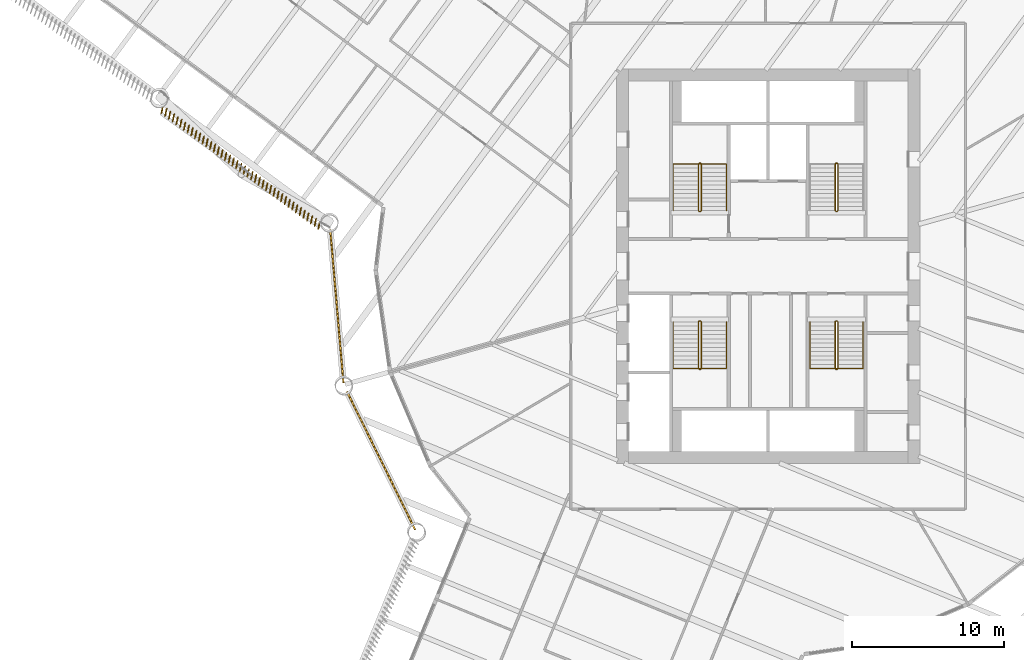
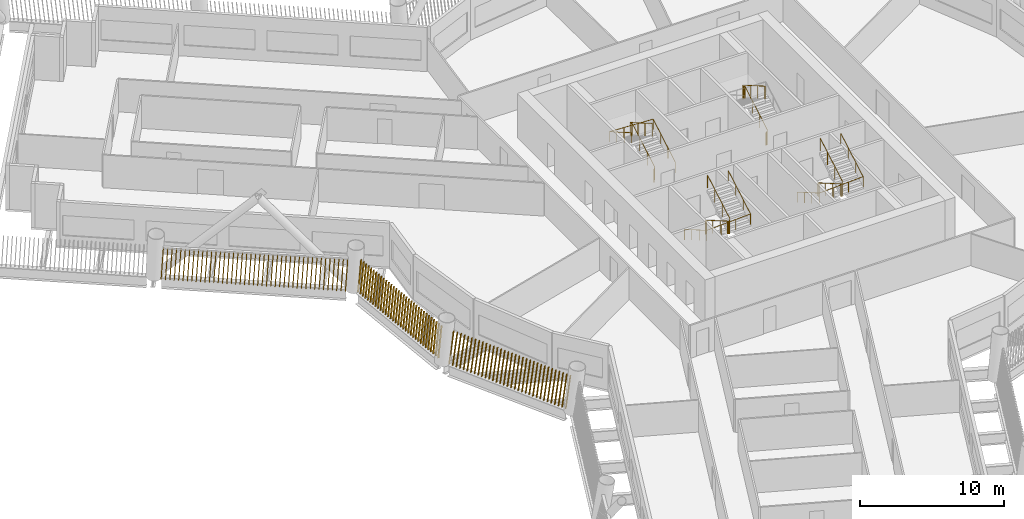
# One storey, part 19 of 23: 7 railings, 3 shading devices.
"""IFC4 building model written with IfcOpenShell, lengths in metres."""

from ifc_helpers import new_model, si_unit, direction, frame, frame_2d, origin, origin_2d, place, context, subcontext, project, spatial, rectangle, circle, composite_profile, extrude, material, type_object, element, save


model = new_model("IFC4")

# Units and contexts
model_context = context("Model", 3, precision=1e-05, world=origin(), true_north=direction((0.0, 1.0)))
body_context = subcontext(model_context, "Body", "Model", "MODEL_VIEW")
ifc_project = project(units=[si_unit("LENGTHUNIT", "METRE"), si_unit("AREAUNIT", "SQUARE_METRE"), si_unit("VOLUMEUNIT", "CUBIC_METRE"), si_unit("PLANEANGLEUNIT", "RADIAN"), si_unit("MASSUNIT", "GRAM", prefix="KILO")], contexts=[model_context])

# Site, building, storey
site_placement = place(None, origin())
site = spatial("IfcSite", under=ifc_project, at=site_placement, CompositionType="ELEMENT")
building_placement = place(site_placement, origin())
building = spatial("IfcBuilding", under=site, at=building_placement, Name="Tarsis Ring Headquarters", CompositionType="ELEMENT")
storey_placement = place(building_placement, frame((0.0, 0.0, 124.0)))
storey = spatial("IfcBuildingStorey", under=building, at=storey_placement, Name="L28", CompositionType="ELEMENT", Elevation=124.0)

# Railings
ifc_material_1 = material(Name="Steel S355", Category="steel")
railing_type_1 = type_object("IfcRailingType", Name="Core stair guard 1100", PredefinedType="GUARDRAIL", material=ifc_material_1)
railing_1_placement = place(storey_placement, frame((-4.5400390625, 3.610107421875, 0.0)))
element("IfcRailing", 1, at=railing_1_placement, inside=storey, type_object=railing_type_1, Name="L28 ST1 stair guard 1", PredefinedType="GUARDRAIL", context=body_context, shape_type="SweptSolid", body=[
    extrude(circle(Radius=0.02392578125, at=origin_2d()), frame((0.0, 0.0, 1.076171875), z_axis=(1.0, 0.0, 0.0), x_axis=(0.0, 1.0, 0.0)), (0.0, 0.0, 1.0), 0.080078125),
    extrude(circle(Radius=0.02392578125, at=origin_2d()), frame((0.080078125, 0.0, 1.076171875), z_axis=(0.282336740067, 0.280959487676, 0.917250092119), x_axis=(-0.705375805398, 0.708833529934, 0.0)), (0.0, 0.0, 1.0), 0.17724609375),
    extrude(circle(Radius=0.02392578125, at=origin_2d()), frame((0.130126953125, 0.0498046875, 1.23876953125), z_axis=(0.0, 0.864920483161, 0.501908913857), x_axis=(-1.0, 0.0, 0.0)), (0.0, 0.0, 1.0), 3.56103515625),
    extrude(circle(Radius=0.02392578125, at=origin_2d()), frame((0.130126953125, 3.1298828125, 3.02587890625), z_axis=(-0.707106781187, 0.707106781187, 0.0), x_axis=(-0.707106781187, -0.707106781187, 0.0)), (0.0, 0.0, 1.0), 0.07080078125),
    extrude(circle(Radius=0.02392578125, at=origin_2d()), frame((0.080078125, 3.179931640625, 3.02587890625), z_axis=(-1.0, 0.0, 0.0), x_axis=(0.0, -1.0, 0.0)), (0.0, 0.0, 1.0), 0.080078125),
    extrude(circle(Radius=0.02392578125, at=origin_2d()), frame((0.0, 3.179931640625, 3.02587890625), z_axis=(-0.282227285176, -0.282227285176, 0.916894497205), x_axis=(0.707106781187, -0.707106781187, 0.0)), (0.0, 0.0, 1.0), 0.17724609375),
    extrude(circle(Radius=0.02392578125, at=origin_2d()), frame((-0.050048828125, 3.1298828125, 3.1884765625), z_axis=(0.0, -0.864920483161, 0.501908913857), x_axis=(1.0, 0.0, 0.0)), (0.0, 0.0, 1.0), 3.56103515625),
    extrude(circle(Radius=0.02099609375, at=origin_2d()), origin(), (0.0, 0.0, 1.0), 1.052001953125),
    extrude(circle(Radius=0.02099609375, at=origin_2d()), frame((0.080078125, 0.0, 0.0)), (0.0, 0.0, 1.0), 1.052001953125),
    extrude(circle(Radius=0.02099609375, at=origin_2d()), frame((0.130126953125, 0.0498046875, 0.16259765625)), (0.0, 0.0, 1.0), 1.052001953125),
    extrude(circle(Radius=0.02099609375, at=origin_2d()), frame((0.130126953125, 1.076416015625, 0.75830078125)), (0.0, 0.0, 1.0), 1.052001953125),
    extrude(circle(Radius=0.02099609375, at=origin_2d()), frame((0.130126953125, 2.103271484375, 1.354248046875)), (0.0, 0.0, 1.0), 1.052001953125),
    extrude(circle(Radius=0.02099609375, at=origin_2d()), frame((0.130126953125, 3.1298828125, 1.949951171875)), (0.0, 0.0, 1.0), 1.052001953125),
    extrude(circle(Radius=0.02099609375, at=origin_2d()), frame((0.080078125, 3.179931640625, 1.949951171875)), (0.0, 0.0, 1.0), 1.052001953125),
    extrude(circle(Radius=0.02099609375, at=origin_2d()), frame((0.0, 3.179931640625, 1.949951171875)), (0.0, 0.0, 1.0), 1.052001953125),
    extrude(circle(Radius=0.02099609375, at=origin_2d()), frame((-0.050048828125, 3.1298828125, 2.112548828125)), (0.0, 0.0, 1.0), 1.052001953125),
    extrude(circle(Radius=0.02099609375, at=origin_2d()), frame((-0.050048828125, 2.103271484375, 2.708251953125)), (0.0, 0.0, 1.0), 1.052001953125),
    extrude(circle(Radius=0.02099609375, at=origin_2d()), frame((-0.050048828125, 1.076416015625, 3.30419921875)), (0.0, 0.0, 1.0), 1.052001953125),
    extrude(circle(Radius=0.02099609375, at=origin_2d()), frame((-0.050048828125, 0.0498046875, 3.89990234375)), (0.0, 0.0, 1.0), 1.052001953125),
])
railing_2_placement = place(storey_placement, frame((4.4599609375, 3.610107421875, 0.0)))
element("IfcRailing", 2, at=railing_2_placement, inside=storey, type_object=railing_type_1, Name="L28 ST2 stair guard 1", PredefinedType="GUARDRAIL", context=body_context, shape_type="SweptSolid", body=[
    extrude(circle(Radius=0.02392578125, at=origin_2d()), frame((0.0, 0.0, 1.076171875), z_axis=(1.0, 0.0, 0.0), x_axis=(0.0, 1.0, 0.0)), (0.0, 0.0, 1.0), 0.080078125),
    extrude(circle(Radius=0.02392578125, at=origin_2d()), frame((0.080078125, 0.0, 1.076171875), z_axis=(0.282336740067, 0.280959487676, 0.917250092119), x_axis=(-0.705375805398, 0.708833529934, 0.0)), (0.0, 0.0, 1.0), 0.17724609375),
    extrude(circle(Radius=0.02392578125, at=origin_2d()), frame((0.130126953125, 0.0498046875, 1.23876953125), z_axis=(0.0, 0.864920483161, 0.501908913857), x_axis=(-1.0, 0.0, 0.0)), (0.0, 0.0, 1.0), 3.56103515625),
    extrude(circle(Radius=0.02392578125, at=origin_2d()), frame((0.130126953125, 3.1298828125, 3.02587890625), z_axis=(-0.707106781187, 0.707106781187, 0.0), x_axis=(-0.707106781187, -0.707106781187, 0.0)), (0.0, 0.0, 1.0), 0.07080078125),
    extrude(circle(Radius=0.02392578125, at=origin_2d()), frame((0.080078125, 3.179931640625, 3.02587890625), z_axis=(-1.0, 0.0, 0.0), x_axis=(0.0, -1.0, 0.0)), (0.0, 0.0, 1.0), 0.080078125),
    extrude(circle(Radius=0.02392578125, at=origin_2d()), frame((0.0, 3.179931640625, 3.02587890625), z_axis=(-0.282227285176, -0.282227285176, 0.916894497205), x_axis=(0.707106781187, -0.707106781187, 0.0)), (0.0, 0.0, 1.0), 0.17724609375),
    extrude(circle(Radius=0.02392578125, at=origin_2d()), frame((-0.050048828125, 3.1298828125, 3.1884765625), z_axis=(0.0, -0.864920483161, 0.501908913857), x_axis=(1.0, 0.0, 0.0)), (0.0, 0.0, 1.0), 3.56103515625),
    extrude(circle(Radius=0.02099609375, at=origin_2d()), origin(), (0.0, 0.0, 1.0), 1.052001953125),
    extrude(circle(Radius=0.02099609375, at=origin_2d()), frame((0.080078125, 0.0, 0.0)), (0.0, 0.0, 1.0), 1.052001953125),
    extrude(circle(Radius=0.02099609375, at=origin_2d()), frame((0.130126953125, 0.0498046875, 0.16259765625)), (0.0, 0.0, 1.0), 1.052001953125),
    extrude(circle(Radius=0.02099609375, at=origin_2d()), frame((0.130126953125, 1.076416015625, 0.75830078125)), (0.0, 0.0, 1.0), 1.052001953125),
    extrude(circle(Radius=0.02099609375, at=origin_2d()), frame((0.130126953125, 2.103271484375, 1.354248046875)), (0.0, 0.0, 1.0), 1.052001953125),
    extrude(circle(Radius=0.02099609375, at=origin_2d()), frame((0.130126953125, 3.1298828125, 1.949951171875)), (0.0, 0.0, 1.0), 1.052001953125),
    extrude(circle(Radius=0.02099609375, at=origin_2d()), frame((0.080078125, 3.179931640625, 1.949951171875)), (0.0, 0.0, 1.0), 1.052001953125),
    extrude(circle(Radius=0.02099609375, at=origin_2d()), frame((0.0, 3.179931640625, 1.949951171875)), (0.0, 0.0, 1.0), 1.052001953125),
    extrude(circle(Radius=0.02099609375, at=origin_2d()), frame((-0.050048828125, 3.1298828125, 2.112548828125)), (0.0, 0.0, 1.0), 1.052001953125),
    extrude(circle(Radius=0.02099609375, at=origin_2d()), frame((-0.050048828125, 2.103271484375, 2.708251953125)), (0.0, 0.0, 1.0), 1.052001953125),
    extrude(circle(Radius=0.02099609375, at=origin_2d()), frame((-0.050048828125, 1.076416015625, 3.30419921875)), (0.0, 0.0, 1.0), 1.052001953125),
    extrude(circle(Radius=0.02099609375, at=origin_2d()), frame((-0.050048828125, 0.0498046875, 3.89990234375)), (0.0, 0.0, 1.0), 1.052001953125),
])
railing_3_placement = place(storey_placement, frame((-4.4599609375, -3.610107421875, 0.0)))
element("IfcRailing", 3, at=railing_3_placement, inside=storey, type_object=railing_type_1, Name="L28 ST3 stair guard 1", PredefinedType="GUARDRAIL", context=body_context, shape_type="SweptSolid", body=[
    extrude(circle(Radius=0.02392578125, at=origin_2d()), frame((0.0, 0.0, 1.076171875), z_axis=(-1.0, 0.0, 0.0), x_axis=(0.0, -1.0, 0.0)), (0.0, 0.0, 1.0), 0.080078125),
    extrude(circle(Radius=0.02392578125, at=origin_2d()), frame((-0.080078125, 0.0, 1.076171875), z_axis=(-0.282336740067, -0.280959487676, 0.917250092119), x_axis=(0.705375805398, -0.708833529934, 0.0)), (0.0, 0.0, 1.0), 0.17724609375),
    extrude(circle(Radius=0.02392578125, at=origin_2d()), frame((-0.130126953125, -0.0498046875, 1.23876953125), z_axis=(0.0, -0.864920483161, 0.501908913857), x_axis=(1.0, 0.0, 0.0)), (0.0, 0.0, 1.0), 3.56103515625),
    extrude(circle(Radius=0.02392578125, at=origin_2d()), frame((-0.130126953125, -3.1298828125, 3.02587890625), z_axis=(0.707106781187, -0.707106781187, 0.0), x_axis=(0.707106781187, 0.707106781187, 0.0)), (0.0, 0.0, 1.0), 0.07080078125),
    extrude(circle(Radius=0.02392578125, at=origin_2d()), frame((-0.080078125, -3.179931640625, 3.02587890625), z_axis=(1.0, 0.0, 0.0), x_axis=(0.0, 1.0, 0.0)), (0.0, 0.0, 1.0), 0.080078125),
    extrude(circle(Radius=0.02392578125, at=origin_2d()), frame((0.0, -3.179931640625, 3.02587890625), z_axis=(0.282227285176, 0.282227285176, 0.916894497205), x_axis=(-0.707106781187, 0.707106781187, 0.0)), (0.0, 0.0, 1.0), 0.17724609375),
    extrude(circle(Radius=0.02392578125, at=origin_2d()), frame((0.050048828125, -3.1298828125, 3.1884765625), z_axis=(0.0, 0.864920483161, 0.501908913857), x_axis=(-1.0, 0.0, 0.0)), (0.0, 0.0, 1.0), 3.56103515625),
    extrude(circle(Radius=0.02099609375, at=origin_2d()), origin(), (0.0, 0.0, 1.0), 1.052001953125),
    extrude(circle(Radius=0.02099609375, at=origin_2d()), frame((-0.080078125, 0.0, 0.0)), (0.0, 0.0, 1.0), 1.052001953125),
    extrude(circle(Radius=0.02099609375, at=origin_2d()), frame((-0.130126953125, -0.0498046875, 0.16259765625)), (0.0, 0.0, 1.0), 1.052001953125),
    extrude(circle(Radius=0.02099609375, at=origin_2d()), frame((-0.130126953125, -1.076416015625, 0.75830078125)), (0.0, 0.0, 1.0), 1.052001953125),
    extrude(circle(Radius=0.02099609375, at=origin_2d()), frame((-0.130126953125, -2.103271484375, 1.354248046875)), (0.0, 0.0, 1.0), 1.052001953125),
    extrude(circle(Radius=0.02099609375, at=origin_2d()), frame((-0.130126953125, -3.1298828125, 1.949951171875)), (0.0, 0.0, 1.0), 1.052001953125),
    extrude(circle(Radius=0.02099609375, at=origin_2d()), frame((-0.080078125, -3.179931640625, 1.949951171875)), (0.0, 0.0, 1.0), 1.052001953125),
    extrude(circle(Radius=0.02099609375, at=origin_2d()), frame((0.0, -3.179931640625, 1.949951171875)), (0.0, 0.0, 1.0), 1.052001953125),
    extrude(circle(Radius=0.02099609375, at=origin_2d()), frame((0.050048828125, -3.1298828125, 2.112548828125)), (0.0, 0.0, 1.0), 1.052001953125),
    extrude(circle(Radius=0.02099609375, at=origin_2d()), frame((0.050048828125, -2.103271484375, 2.708251953125)), (0.0, 0.0, 1.0), 1.052001953125),
    extrude(circle(Radius=0.02099609375, at=origin_2d()), frame((0.050048828125, -1.076416015625, 3.30419921875)), (0.0, 0.0, 1.0), 1.052001953125),
    extrude(circle(Radius=0.02099609375, at=origin_2d()), frame((0.050048828125, -0.0498046875, 3.89990234375)), (0.0, 0.0, 1.0), 1.052001953125),
])
railing_4_placement = place(storey_placement, frame((4.5400390625, -3.610107421875, 0.0)))
element("IfcRailing", 4, at=railing_4_placement, inside=storey, type_object=railing_type_1, Name="L28 ST4 stair guard 1", PredefinedType="GUARDRAIL", context=body_context, shape_type="SweptSolid", body=[
    extrude(circle(Radius=0.02392578125, at=origin_2d()), frame((0.0, 0.0, 1.076171875), z_axis=(-1.0, 0.0, 0.0), x_axis=(0.0, -1.0, 0.0)), (0.0, 0.0, 1.0), 0.080078125),
    extrude(circle(Radius=0.02392578125, at=origin_2d()), frame((-0.080078125, 0.0, 1.076171875), z_axis=(-0.282336740067, -0.280959487676, 0.917250092119), x_axis=(0.705375805398, -0.708833529934, 0.0)), (0.0, 0.0, 1.0), 0.17724609375),
    extrude(circle(Radius=0.02392578125, at=origin_2d()), frame((-0.130126953125, -0.0498046875, 1.23876953125), z_axis=(0.0, -0.864920483161, 0.501908913857), x_axis=(1.0, 0.0, 0.0)), (0.0, 0.0, 1.0), 3.56103515625),
    extrude(circle(Radius=0.02392578125, at=origin_2d()), frame((-0.130126953125, -3.1298828125, 3.02587890625), z_axis=(0.707106781187, -0.707106781187, 0.0), x_axis=(0.707106781187, 0.707106781187, 0.0)), (0.0, 0.0, 1.0), 0.07080078125),
    extrude(circle(Radius=0.02392578125, at=origin_2d()), frame((-0.080078125, -3.179931640625, 3.02587890625), z_axis=(1.0, 0.0, 0.0), x_axis=(0.0, 1.0, 0.0)), (0.0, 0.0, 1.0), 0.080078125),
    extrude(circle(Radius=0.02392578125, at=origin_2d()), frame((0.0, -3.179931640625, 3.02587890625), z_axis=(0.282227285176, 0.282227285176, 0.916894497205), x_axis=(-0.707106781187, 0.707106781187, 0.0)), (0.0, 0.0, 1.0), 0.17724609375),
    extrude(circle(Radius=0.02392578125, at=origin_2d()), frame((0.050048828125, -3.1298828125, 3.1884765625), z_axis=(0.0, 0.864920483161, 0.501908913857), x_axis=(-1.0, 0.0, 0.0)), (0.0, 0.0, 1.0), 3.56103515625),
    extrude(circle(Radius=0.02099609375, at=origin_2d()), origin(), (0.0, 0.0, 1.0), 1.052001953125),
    extrude(circle(Radius=0.02099609375, at=origin_2d()), frame((-0.080078125, 0.0, 0.0)), (0.0, 0.0, 1.0), 1.052001953125),
    extrude(circle(Radius=0.02099609375, at=origin_2d()), frame((-0.130126953125, -0.0498046875, 0.16259765625)), (0.0, 0.0, 1.0), 1.052001953125),
    extrude(circle(Radius=0.02099609375, at=origin_2d()), frame((-0.130126953125, -1.076416015625, 0.75830078125)), (0.0, 0.0, 1.0), 1.052001953125),
    extrude(circle(Radius=0.02099609375, at=origin_2d()), frame((-0.130126953125, -2.103271484375, 1.354248046875)), (0.0, 0.0, 1.0), 1.052001953125),
    extrude(circle(Radius=0.02099609375, at=origin_2d()), frame((-0.130126953125, -3.1298828125, 1.949951171875)), (0.0, 0.0, 1.0), 1.052001953125),
    extrude(circle(Radius=0.02099609375, at=origin_2d()), frame((-0.080078125, -3.179931640625, 1.949951171875)), (0.0, 0.0, 1.0), 1.052001953125),
    extrude(circle(Radius=0.02099609375, at=origin_2d()), frame((0.0, -3.179931640625, 1.949951171875)), (0.0, 0.0, 1.0), 1.052001953125),
    extrude(circle(Radius=0.02099609375, at=origin_2d()), frame((0.050048828125, -3.1298828125, 2.112548828125)), (0.0, 0.0, 1.0), 1.052001953125),
    extrude(circle(Radius=0.02099609375, at=origin_2d()), frame((0.050048828125, -2.103271484375, 2.708251953125)), (0.0, 0.0, 1.0), 1.052001953125),
    extrude(circle(Radius=0.02099609375, at=origin_2d()), frame((0.050048828125, -1.076416015625, 3.30419921875)), (0.0, 0.0, 1.0), 1.052001953125),
    extrude(circle(Radius=0.02099609375, at=origin_2d()), frame((0.050048828125, -0.0498046875, 3.89990234375)), (0.0, 0.0, 1.0), 1.052001953125),
])
railing_type_2 = type_object("IfcRailingType", Name="Core stair handrail 900", PredefinedType="HANDRAIL", material=ifc_material_1)
railing_5_placement = place(storey_placement, frame((-2.75, 3.659912109375, 0.16259765625)))
element("IfcRailing", 5, at=railing_5_placement, inside=storey, type_object=railing_type_2, Name="L28 ST1 stair handrail 1", PredefinedType="HANDRAIL", context=body_context, shape_type="SweptSolid", body=[
    extrude(circle(Radius=0.02392578125, at=origin_2d()), frame((0.0, 0.0, 0.8759765625), z_axis=(0.0, 0.864920483161, 0.501908913857), x_axis=(-1.0, 0.0, 0.0)), (0.0, 0.0, 1.0), 3.56103515625),
    extrude(circle(Radius=0.02392578125, at=origin_2d()), frame((0.0, 3.080078125, 2.6630859375), z_axis=(-0.998922641604, 0.0, 0.046406422943), x_axis=(0.0, -1.0, 0.0)), (0.0, 0.0, 1.0), 3.503662109375),
    extrude(circle(Radius=0.02392578125, at=origin_2d()), frame((-3.5, 3.080078125, 2.82568359375), z_axis=(0.0, -0.864920483161, 0.501908913857), x_axis=(1.0, 0.0, 0.0)), (0.0, 0.0, 1.0), 3.56103515625),
    extrude(circle(Radius=0.02099609375, at=origin_2d()), origin(), (0.0, 0.0, 1.0), 0.851806640625),
    extrude(circle(Radius=0.02099609375, at=origin_2d()), frame((0.0, 1.026611328125, 0.595703125)), (0.0, 0.0, 1.0), 0.851806640625),
    extrude(circle(Radius=0.02099609375, at=origin_2d()), frame((0.0, 2.053466796875, 1.191650390625)), (0.0, 0.0, 1.0), 0.851806640625),
    extrude(circle(Radius=0.02099609375, at=origin_2d()), frame((0.0, 3.080078125, 1.787353515625)), (0.0, 0.0, 1.0), 0.851806640625),
    extrude(circle(Radius=0.02099609375, at=origin_2d()), frame((-1.166748046875, 3.080078125, 1.841552734375)), (0.0, 0.0, 1.0), 0.851806640625),
    extrude(circle(Radius=0.02099609375, at=origin_2d()), frame((-2.333251953125, 3.080078125, 1.895751953125)), (0.0, 0.0, 1.0), 0.851806640625),
    extrude(circle(Radius=0.02099609375, at=origin_2d()), frame((-3.5, 3.080078125, 1.949951171875)), (0.0, 0.0, 1.0), 0.851806640625),
    extrude(circle(Radius=0.02099609375, at=origin_2d()), frame((-3.5, 2.053466796875, 2.545654296875)), (0.0, 0.0, 1.0), 0.851806640625),
    extrude(circle(Radius=0.02099609375, at=origin_2d()), frame((-3.5, 1.026611328125, 3.1416015625)), (0.0, 0.0, 1.0), 0.851806640625),
    extrude(circle(Radius=0.02099609375, at=origin_2d()), frame((-3.5, 0.0, 3.7373046875)), (0.0, 0.0, 1.0), 0.851806640625),
])
railing_6_placement = place(storey_placement, frame((-6.25, -3.659912109375, 0.16259765625)))
element("IfcRailing", 6, at=railing_6_placement, inside=storey, type_object=railing_type_2, Name="L28 ST3 stair handrail 1", PredefinedType="HANDRAIL", context=body_context, shape_type="SweptSolid", body=[
    extrude(circle(Radius=0.02392578125, at=origin_2d()), frame((0.0, 0.0, 0.8759765625), z_axis=(0.0, -0.864920483161, 0.501908913857), x_axis=(1.0, 0.0, 0.0)), (0.0, 0.0, 1.0), 3.56103515625),
    extrude(circle(Radius=0.02392578125, at=origin_2d()), frame((0.0, -3.080078125, 2.6630859375), z_axis=(0.998922641604, 0.0, 0.046406422943), x_axis=(0.0, 1.0, 0.0)), (0.0, 0.0, 1.0), 3.503662109375),
    extrude(circle(Radius=0.02392578125, at=origin_2d()), frame((3.5, -3.080078125, 2.82568359375), z_axis=(0.0, 0.864920483161, 0.501908913857), x_axis=(-1.0, 0.0, 0.0)), (0.0, 0.0, 1.0), 3.56103515625),
    extrude(circle(Radius=0.02099609375, at=origin_2d()), origin(), (0.0, 0.0, 1.0), 0.851806640625),
    extrude(circle(Radius=0.02099609375, at=origin_2d()), frame((0.0, -1.026611328125, 0.595703125)), (0.0, 0.0, 1.0), 0.851806640625),
    extrude(circle(Radius=0.02099609375, at=origin_2d()), frame((0.0, -2.053466796875, 1.191650390625)), (0.0, 0.0, 1.0), 0.851806640625),
    extrude(circle(Radius=0.02099609375, at=origin_2d()), frame((0.0, -3.080078125, 1.787353515625)), (0.0, 0.0, 1.0), 0.851806640625),
    extrude(circle(Radius=0.02099609375, at=origin_2d()), frame((1.166748046875, -3.080078125, 1.841552734375)), (0.0, 0.0, 1.0), 0.851806640625),
    extrude(circle(Radius=0.02099609375, at=origin_2d()), frame((2.333251953125, -3.080078125, 1.895751953125)), (0.0, 0.0, 1.0), 0.851806640625),
    extrude(circle(Radius=0.02099609375, at=origin_2d()), frame((3.5, -3.080078125, 1.949951171875)), (0.0, 0.0, 1.0), 0.851806640625),
    extrude(circle(Radius=0.02099609375, at=origin_2d()), frame((3.5, -2.053466796875, 2.545654296875)), (0.0, 0.0, 1.0), 0.851806640625),
    extrude(circle(Radius=0.02099609375, at=origin_2d()), frame((3.5, -1.026611328125, 3.1416015625)), (0.0, 0.0, 1.0), 0.851806640625),
    extrude(circle(Radius=0.02099609375, at=origin_2d()), frame((3.5, 0.0, 3.7373046875)), (0.0, 0.0, 1.0), 0.851806640625),
])
railing_7_placement = place(storey_placement, frame((2.75, -3.659912109375, 0.16259765625)))
element("IfcRailing", 7, at=railing_7_placement, inside=storey, type_object=railing_type_2, Name="L28 ST4 stair handrail 1", PredefinedType="HANDRAIL", context=body_context, shape_type="SweptSolid", body=[
    extrude(circle(Radius=0.02392578125, at=origin_2d()), frame((0.0, 0.0, 0.8759765625), z_axis=(0.0, -0.864920483161, 0.501908913857), x_axis=(1.0, 0.0, 0.0)), (0.0, 0.0, 1.0), 3.56103515625),
    extrude(circle(Radius=0.02392578125, at=origin_2d()), frame((0.0, -3.080078125, 2.6630859375), z_axis=(0.998922641604, 0.0, 0.046406422943), x_axis=(0.0, 1.0, 0.0)), (0.0, 0.0, 1.0), 3.503662109375),
    extrude(circle(Radius=0.02392578125, at=origin_2d()), frame((3.5, -3.080078125, 2.82568359375), z_axis=(0.0, 0.864920483161, 0.501908913857), x_axis=(-1.0, 0.0, 0.0)), (0.0, 0.0, 1.0), 3.56103515625),
    extrude(circle(Radius=0.02099609375, at=origin_2d()), origin(), (0.0, 0.0, 1.0), 0.851806640625),
    extrude(circle(Radius=0.02099609375, at=origin_2d()), frame((0.0, -1.026611328125, 0.595703125)), (0.0, 0.0, 1.0), 0.851806640625),
    extrude(circle(Radius=0.02099609375, at=origin_2d()), frame((0.0, -2.053466796875, 1.191650390625)), (0.0, 0.0, 1.0), 0.851806640625),
    extrude(circle(Radius=0.02099609375, at=origin_2d()), frame((0.0, -3.080078125, 1.787353515625)), (0.0, 0.0, 1.0), 0.851806640625),
    extrude(circle(Radius=0.02099609375, at=origin_2d()), frame((1.166748046875, -3.080078125, 1.841552734375)), (0.0, 0.0, 1.0), 0.851806640625),
    extrude(circle(Radius=0.02099609375, at=origin_2d()), frame((2.333251953125, -3.080078125, 1.895751953125)), (0.0, 0.0, 1.0), 0.851806640625),
    extrude(circle(Radius=0.02099609375, at=origin_2d()), frame((3.5, -3.080078125, 1.949951171875)), (0.0, 0.0, 1.0), 0.851806640625),
    extrude(circle(Radius=0.02099609375, at=origin_2d()), frame((3.5, -2.053466796875, 2.545654296875)), (0.0, 0.0, 1.0), 0.851806640625),
    extrude(circle(Radius=0.02099609375, at=origin_2d()), frame((3.5, -1.026611328125, 3.1416015625)), (0.0, 0.0, 1.0), 0.851806640625),
    extrude(circle(Radius=0.02099609375, at=origin_2d()), frame((3.5, 0.0, 3.7373046875)), (0.0, 0.0, 1.0), 0.851806640625),
])

# Shading devices
ifc_material_2 = material(Name="Terracotta baguette", Category="masonry")
shading_device_type = type_object("IfcShadingDeviceType", Name="Terracotta baguette screen", PredefinedType="USERDEFINED", material=ifc_material_2)
shading_device_1_placement = place(storey_placement, frame((-27.757080078125, -8.260009765625, 0.0), z_axis=(0.0, 0.0, 1.0), x_axis=(0.442837155849, -0.89659221506, 0.0)))
element("IfcShadingDevice", 8, at=shading_device_1_placement, inside=storey, type_object=shading_device_type, Name="Baguette screen L28-00", ObjectType="Terracotta baguette screen", PredefinedType="USERDEFINED", context=body_context, shape_type="SweptSolid", body=[
    extrude(composite_profile([rectangle(XDim=0.06005859375, YDim=0.1201171875, at=frame_2d((0.030029296875, 0.0))), rectangle(XDim=0.06005859375, YDim=0.1201171875, at=frame_2d((0.33349609375, 0.0))), rectangle(XDim=0.06005859375, YDim=0.1201171875, at=frame_2d((0.636962890625, 0.0))), rectangle(XDim=0.06005859375, YDim=0.1201171875, at=frame_2d((0.9404296875, 0.0))), rectangle(XDim=0.06005859375, YDim=0.1201171875, at=frame_2d((1.243896484375, 0.0))), rectangle(XDim=0.06005859375, YDim=0.1201171875, at=frame_2d((1.54736328125, 0.0))), rectangle(XDim=0.06005859375, YDim=0.1201171875, at=frame_2d((1.85107421875, 0.0))), rectangle(XDim=0.06005859375, YDim=0.1201171875, at=frame_2d((2.154541015625, 0.0))), rectangle(XDim=0.06005859375, YDim=0.1201171875, at=frame_2d((2.4580078125, 0.0))), rectangle(XDim=0.06005859375, YDim=0.1201171875, at=frame_2d((2.761474609375, 0.0))), rectangle(XDim=0.06005859375, YDim=0.1201171875, at=frame_2d((3.06494140625, 0.0))), rectangle(XDim=0.06005859375, YDim=0.1201171875, at=frame_2d((3.368408203125, 0.0))), rectangle(XDim=0.06005859375, YDim=0.1201171875, at=frame_2d((3.671875, 0.0))), rectangle(XDim=0.06005859375, YDim=0.1201171875, at=frame_2d((3.975341796875, 0.0))), rectangle(XDim=0.06005859375, YDim=0.1201171875, at=frame_2d((4.27880859375, 0.0))), rectangle(XDim=0.06005859375, YDim=0.1201171875, at=frame_2d((4.582275390625, 0.0))), rectangle(XDim=0.06005859375, YDim=0.1201171875, at=frame_2d((4.8857421875, 0.0))), rectangle(XDim=0.06005859375, YDim=0.1201171875, at=frame_2d((5.189453125, 0.0))), rectangle(XDim=0.06005859375, YDim=0.1201171875, at=frame_2d((5.492919921875, 0.0))), rectangle(XDim=0.06005859375, YDim=0.1201171875, at=frame_2d((5.79638671875, 0.0))), rectangle(XDim=0.06005859375, YDim=0.1201171875, at=frame_2d((6.099853515625, 0.0))), rectangle(XDim=0.06005859375, YDim=0.1201171875, at=frame_2d((6.4033203125, 0.0))), rectangle(XDim=0.06005859375, YDim=0.1201171875, at=frame_2d((6.706787109375, 0.0))), rectangle(XDim=0.06005859375, YDim=0.1201171875, at=frame_2d((7.01025390625, 0.0))), rectangle(XDim=0.06005859375, YDim=0.1201171875, at=frame_2d((7.313720703125, 0.0))), rectangle(XDim=0.06005859375, YDim=0.1201171875, at=frame_2d((7.6171875, 0.0))), rectangle(XDim=0.06005859375, YDim=0.1201171875, at=frame_2d((7.920654296875, 0.0))), rectangle(XDim=0.06005859375, YDim=0.1201171875, at=frame_2d((8.224365234375, 0.0))), rectangle(XDim=0.06005859375, YDim=0.1201171875, at=frame_2d((8.52783203125, 0.0))), rectangle(XDim=0.06005859375, YDim=0.1201171875, at=frame_2d((8.831298828125, 0.0))), rectangle(XDim=0.06005859375, YDim=0.1201171875, at=frame_2d((9.134765625, 0.0))), rectangle(XDim=0.06005859375, YDim=0.1201171875, at=frame_2d((9.438232421875, 0.0))), rectangle(XDim=0.06005859375, YDim=0.1201171875, at=frame_2d((9.74169921875, 0.0)))]), origin(), (0.130480090359, 0.000887279726, 0.991450532682), 2.97802734375),
])
shading_device_2_placement = place(storey_placement, frame((-39.9111328125, 10.57177734375, 0.0), z_axis=(0.0, 0.0, 1.0), x_axis=(0.804889586921, -0.593430090639, 0.0)))
element("IfcShadingDevice", 9, at=shading_device_2_placement, inside=storey, type_object=shading_device_type, Name="Baguette screen L28-20", ObjectType="Terracotta baguette screen", PredefinedType="USERDEFINED", context=body_context, shape_type="SweptSolid", body=[
    extrude(composite_profile([rectangle(XDim=0.06005859375, YDim=0.1201171875, at=frame_2d((0.030029296875, 0.0))), rectangle(XDim=0.06005859375, YDim=0.1201171875, at=frame_2d((0.335693359375, 0.0))), rectangle(XDim=0.06005859375, YDim=0.1201171875, at=frame_2d((0.6416015625, 0.0))), rectangle(XDim=0.06005859375, YDim=0.1201171875, at=frame_2d((0.947265625, 0.0))), rectangle(XDim=0.06005859375, YDim=0.1201171875, at=frame_2d((1.253173828125, 0.0))), rectangle(XDim=0.06005859375, YDim=0.1201171875, at=frame_2d((1.558837890625, 0.0))), rectangle(XDim=0.06005859375, YDim=0.1201171875, at=frame_2d((1.864501953125, 0.0))), rectangle(XDim=0.06005859375, YDim=0.1201171875, at=frame_2d((2.17041015625, 0.0))), rectangle(XDim=0.06005859375, YDim=0.1201171875, at=frame_2d((2.47607421875, 0.0))), rectangle(XDim=0.06005859375, YDim=0.1201171875, at=frame_2d((2.781982421875, 0.0))), rectangle(XDim=0.06005859375, YDim=0.1201171875, at=frame_2d((3.087646484375, 0.0))), rectangle(XDim=0.06005859375, YDim=0.1201171875, at=frame_2d((3.393310546875, 0.0))), rectangle(XDim=0.06005859375, YDim=0.1201171875, at=frame_2d((3.69921875, 0.0))), rectangle(XDim=0.06005859375, YDim=0.1201171875, at=frame_2d((4.0048828125, 0.0))), rectangle(XDim=0.06005859375, YDim=0.1201171875, at=frame_2d((4.310791015625, 0.0))), rectangle(XDim=0.06005859375, YDim=0.1201171875, at=frame_2d((4.616455078125, 0.0))), rectangle(XDim=0.06005859375, YDim=0.1201171875, at=frame_2d((4.922119140625, 0.0))), rectangle(XDim=0.06005859375, YDim=0.1201171875, at=frame_2d((5.22802734375, 0.0))), rectangle(XDim=0.06005859375, YDim=0.1201171875, at=frame_2d((5.53369140625, 0.0))), rectangle(XDim=0.06005859375, YDim=0.1201171875, at=frame_2d((5.839599609375, 0.0))), rectangle(XDim=0.06005859375, YDim=0.1201171875, at=frame_2d((6.145263671875, 0.0))), rectangle(XDim=0.06005859375, YDim=0.1201171875, at=frame_2d((6.451171875, 0.0))), rectangle(XDim=0.06005859375, YDim=0.1201171875, at=frame_2d((6.7568359375, 0.0))), rectangle(XDim=0.06005859375, YDim=0.1201171875, at=frame_2d((7.0625, 0.0))), rectangle(XDim=0.06005859375, YDim=0.1201171875, at=frame_2d((7.368408203125, 0.0))), rectangle(XDim=0.06005859375, YDim=0.1201171875, at=frame_2d((7.674072265625, 0.0))), rectangle(XDim=0.06005859375, YDim=0.1201171875, at=frame_2d((7.97998046875, 0.0))), rectangle(XDim=0.06005859375, YDim=0.1201171875, at=frame_2d((8.28564453125, 0.0))), rectangle(XDim=0.06005859375, YDim=0.1201171875, at=frame_2d((8.59130859375, 0.0))), rectangle(XDim=0.06005859375, YDim=0.1201171875, at=frame_2d((8.897216796875, 0.0))), rectangle(XDim=0.06005859375, YDim=0.1201171875, at=frame_2d((9.202880859375, 0.0))), rectangle(XDim=0.06005859375, YDim=0.1201171875, at=frame_2d((9.5087890625, 0.0))), rectangle(XDim=0.06005859375, YDim=0.1201171875, at=frame_2d((9.814453125, 0.0))), rectangle(XDim=0.06005859375, YDim=0.1201171875, at=frame_2d((10.1201171875, 0.0))), rectangle(XDim=0.06005859375, YDim=0.1201171875, at=frame_2d((10.426025390625, 0.0))), rectangle(XDim=0.06005859375, YDim=0.1201171875, at=frame_2d((10.731689453125, 0.0))), rectangle(XDim=0.06005859375, YDim=0.1201171875, at=frame_2d((11.03759765625, 0.0))), rectangle(XDim=0.06005859375, YDim=0.1201171875, at=frame_2d((11.34326171875, 0.0))), rectangle(XDim=0.06005859375, YDim=0.1201171875, at=frame_2d((11.64892578125, 0.0))), rectangle(XDim=0.06005859375, YDim=0.1201171875, at=frame_2d((11.954833984375, 0.0))), rectangle(XDim=0.06005859375, YDim=0.1201171875, at=frame_2d((12.260498046875, 0.0))), rectangle(XDim=0.06005859375, YDim=0.1201171875, at=frame_2d((12.56640625, 0.0))), rectangle(XDim=0.06005859375, YDim=0.1201171875, at=frame_2d((12.8720703125, 0.0)))]), origin(), (0.070043758739, -0.144899810846, 0.986963989555), 2.99169921875),
])
shading_device_3_placement = place(storey_placement, frame((-28.8583984375, 2.422119140625, 0.0), z_axis=(0.0, 0.0, 1.0), x_axis=(0.085673595842, -0.996327203678, 0.0)))
element("IfcShadingDevice", 10, at=shading_device_3_placement, inside=storey, type_object=shading_device_type, Name="Baguette screen L28-21", ObjectType="Terracotta baguette screen", PredefinedType="USERDEFINED", context=body_context, shape_type="SweptSolid", body=[
    extrude(composite_profile([rectangle(XDim=0.06005859375, YDim=0.1201171875, at=frame_2d((0.030029296875, 0.0))), rectangle(XDim=0.06005859375, YDim=0.1201171875, at=frame_2d((0.33349609375, 0.0))), rectangle(XDim=0.06005859375, YDim=0.1201171875, at=frame_2d((0.636962890625, 0.0))), rectangle(XDim=0.06005859375, YDim=0.1201171875, at=frame_2d((0.9404296875, 0.0))), rectangle(XDim=0.06005859375, YDim=0.1201171875, at=frame_2d((1.243896484375, 0.0))), rectangle(XDim=0.06005859375, YDim=0.1201171875, at=frame_2d((1.54736328125, 0.0))), rectangle(XDim=0.06005859375, YDim=0.1201171875, at=frame_2d((1.850830078125, 0.0))), rectangle(XDim=0.06005859375, YDim=0.1201171875, at=frame_2d((2.154296875, 0.0))), rectangle(XDim=0.06005859375, YDim=0.1201171875, at=frame_2d((2.4580078125, 0.0))), rectangle(XDim=0.06005859375, YDim=0.1201171875, at=frame_2d((2.761474609375, 0.0))), rectangle(XDim=0.06005859375, YDim=0.1201171875, at=frame_2d((3.06494140625, 0.0))), rectangle(XDim=0.06005859375, YDim=0.1201171875, at=frame_2d((3.368408203125, 0.0))), rectangle(XDim=0.06005859375, YDim=0.1201171875, at=frame_2d((3.671875, 0.0))), rectangle(XDim=0.06005859375, YDim=0.1201171875, at=frame_2d((3.975341796875, 0.0))), rectangle(XDim=0.06005859375, YDim=0.1201171875, at=frame_2d((4.27880859375, 0.0))), rectangle(XDim=0.06005859375, YDim=0.1201171875, at=frame_2d((4.582275390625, 0.0))), rectangle(XDim=0.06005859375, YDim=0.1201171875, at=frame_2d((4.8857421875, 0.0))), rectangle(XDim=0.06005859375, YDim=0.1201171875, at=frame_2d((5.189208984375, 0.0))), rectangle(XDim=0.06005859375, YDim=0.1201171875, at=frame_2d((5.49267578125, 0.0))), rectangle(XDim=0.06005859375, YDim=0.1201171875, at=frame_2d((5.796142578125, 0.0))), rectangle(XDim=0.06005859375, YDim=0.1201171875, at=frame_2d((6.099609375, 0.0))), rectangle(XDim=0.06005859375, YDim=0.1201171875, at=frame_2d((6.403076171875, 0.0))), rectangle(XDim=0.06005859375, YDim=0.1201171875, at=frame_2d((6.70654296875, 0.0))), rectangle(XDim=0.06005859375, YDim=0.1201171875, at=frame_2d((7.010009765625, 0.0))), rectangle(XDim=0.06005859375, YDim=0.1201171875, at=frame_2d((7.3134765625, 0.0))), rectangle(XDim=0.06005859375, YDim=0.1201171875, at=frame_2d((7.6171875, 0.0))), rectangle(XDim=0.06005859375, YDim=0.1201171875, at=frame_2d((7.920654296875, 0.0))), rectangle(XDim=0.06005859375, YDim=0.1201171875, at=frame_2d((8.22412109375, 0.0))), rectangle(XDim=0.06005859375, YDim=0.1201171875, at=frame_2d((8.527587890625, 0.0))), rectangle(XDim=0.06005859375, YDim=0.1201171875, at=frame_2d((8.8310546875, 0.0))), rectangle(XDim=0.06005859375, YDim=0.1201171875, at=frame_2d((9.134521484375, 0.0))), rectangle(XDim=0.06005859375, YDim=0.1201171875, at=frame_2d((9.43798828125, 0.0))), rectangle(XDim=0.06005859375, YDim=0.1201171875, at=frame_2d((9.741455078125, 0.0)))]), origin(), (0.130481571156, 0.000888607066, 0.991450336611), 2.97802734375),
])

save(model, "model.ifc")
